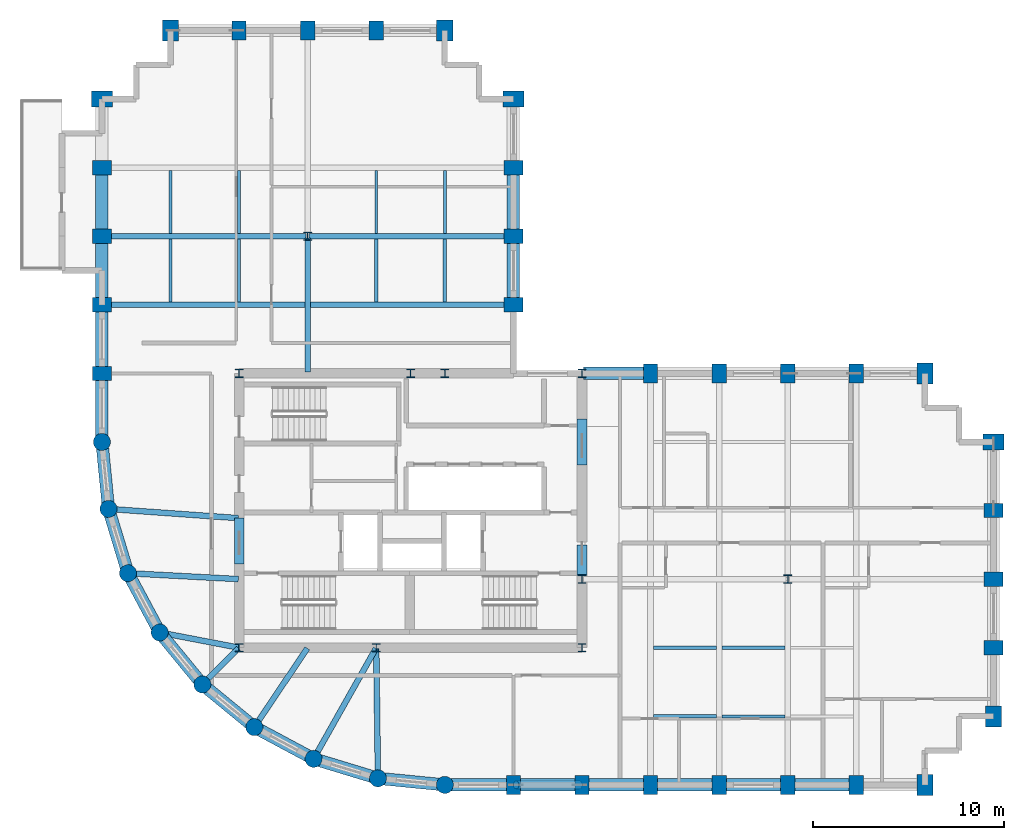
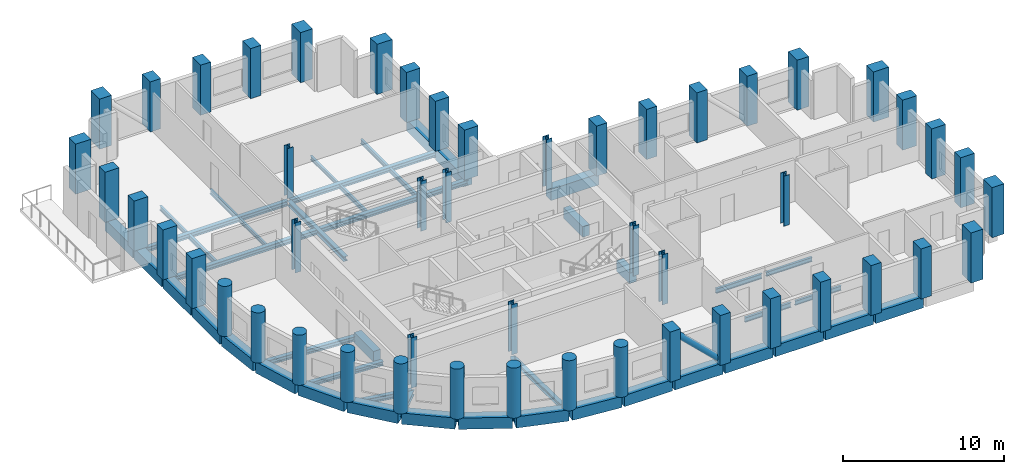
# One storey, part 1 of 9: 50 columns, 47 beams, 1 member.
"""IFC4 building model written with IfcOpenShell, lengths in metres."""

from ifc_helpers import new_model, si_unit, direction, frame, origin, origin_2d, place, context, subcontext, project, spatial, rectangle, circle, hollow_circle, i_section, extrude, material, material_profile, profile_set, type_object, element, save


model = new_model("IFC4")

# Units and contexts
model_context = context("Model", 3, precision=1e-05, world=origin(), true_north=direction((0.0, 1.0)))
body_context = subcontext(model_context, "Body", "Model", "MODEL_VIEW")
ifc_project = project(units=[si_unit("LENGTHUNIT", "METRE"), si_unit("AREAUNIT", "SQUARE_METRE"), si_unit("VOLUMEUNIT", "CUBIC_METRE"), si_unit("PLANEANGLEUNIT", "RADIAN"), si_unit("MASSUNIT", "GRAM", prefix="KILO")], contexts=[model_context])

# Site, building, storey
site_placement = place(None, origin())
site = spatial("IfcSite", under=ifc_project, at=site_placement, CompositionType="ELEMENT")
building_placement = place(site_placement, origin())
building = spatial("IfcBuilding", under=site, at=building_placement, Name="Solnavia Interchange Tower", CompositionType="ELEMENT")
storey_placement = place(building_placement, frame((0.0, 0.0, 154.199951171875)))
storey = spatial("IfcBuildingStorey", under=building, at=storey_placement, Name="L38", CompositionType="ELEMENT", Elevation=154.199951171875)

# Columns
ifc_material_1 = material(Name="Concrete C50/60", Category="concrete")
ifc_material_profile_1 = material_profile(ifc_material_1, rectangle(XDim=0.75, YDim=1.0, at=origin_2d()), Name="RC 1000x750")
ifc_profile_set_1 = profile_set([ifc_material_profile_1], Name="Concrete C50/60")
column_type_1 = type_object("IfcColumnType", Name="Col-RC-1000x750", PredefinedType="COLUMN", material=ifc_profile_set_1)
for number, where, z_axis, x_axis, name in (
    (1, (7.199951171875, 25.199951171875, 0.0), (0.0, 0.0, 1.0), (0.0, 1.0, 0.0), "COL-L38-02 Tower perim y column"),
    (2, (7.199951171875, 28.800048828125, 0.0), (0.0, 0.0, 1.0), (0.0, 1.0, 0.0), "COL-L38-03 Tower perim y column"),
    (3, (7.199951171875, 32.39990234375, 0.0), (0.0, 0.0, 1.0), (0.0, 1.0, 0.0), "COL-L38-04 Tower perim y column"),
    (4, (7.199951171875, 36.0, 0.0), (0.0, 0.0, 1.0), (0.0, 1.0, 0.0), "COL-L38-05 Tower perim y column"),
    (5, (14.39990234375, 43.199951171875, 0.0), (0.0, 0.0, 1.0), (1.0, 0.0, 0.0), "COL-L38-14 Tower perim x column"),
    (6, (18.0, 43.199951171875, 0.0), (0.0, 0.0, 1.0), (1.0, 0.0, 0.0), "COL-L38-17 Tower perim x column"),
    (7, (21.60009765625, 43.199951171875, 0.0), (0.0, 0.0, 1.0), (1.0, 0.0, 0.0), "COL-L38-20 Tower perim x column"),
    (8, (28.800048828125, 3.60009765625, 0.0), (0.0, 0.0, 1.0), (1.0, 0.0, 0.0), "COL-L38-26 Tower perim x column"),
    (9, (28.800048828125, 28.800048828125, 0.0), (0.0, 0.0, 1.0), (0.0, 1.0, 0.0), "COL-L38-27 Tower perim y column"),
    (10, (28.800048828125, 32.39990234375, 0.0), (0.0, 0.0, 1.0), (0.0, 1.0, 0.0), "COL-L38-28 Tower perim y column"),
    (11, (28.800048828125, 36.0, 0.0), (0.0, 0.0, 1.0), (0.0, 1.0, 0.0), "COL-L38-29 Tower perim y column"),
    (12, (32.39990234375, 3.60009765625, 0.0), (0.0, 0.0, 1.0), (1.0, 0.0, 0.0), "COL-L38-31 Tower perim x column"),
    (13, (36.0, 3.60009765625, 0.0), (0.0, 0.0, 1.0), (1.0, 0.0, 0.0), "COL-L38-35 Tower perim x column"),
    (14, (36.0, 25.199951171875, 0.0), (0.0, 0.0, 1.0), (1.0, 0.0, 0.0), "COL-L38-36 Tower perim x column"),
    (15, (39.60009765625, 3.60009765625, 0.0), (0.0, 0.0, 1.0), (1.0, 0.0, 0.0), "COL-L38-37 Tower perim x column"),
    (16, (39.60009765625, 25.199951171875, 0.0), (0.0, 0.0, 1.0), (1.0, 0.0, 0.0), "COL-L38-38 Tower perim x column"),
    (17, (43.199951171875, 3.60009765625, 0.0), (0.0, 0.0, 1.0), (1.0, 0.0, 0.0), "COL-L38-39 Tower perim x column"),
    (18, (43.199951171875, 25.199951171875, 0.0), (0.0, 0.0, 1.0), (1.0, 0.0, 0.0), "COL-L38-41 Tower perim x column"),
    (19, (46.800048828125, 3.60009765625, 0.0), (0.0, 0.0, 1.0), (1.0, 0.0, 0.0), "COL-L38-42 Tower perim x column"),
    (20, (46.800048828125, 25.199951171875, 0.0), (0.0, 0.0, 1.0), (1.0, 0.0, 0.0), "COL-L38-43 Tower perim x column"),
    (21, (54.0, 10.800048828125, 0.0), (0.0, 0.0, 1.0), (0.0, 1.0, 0.0), "COL-L38-47 Tower perim y column"),
    (22, (54.0, 14.39990234375, 0.0), (0.0, 0.0, 1.0), (0.0, 1.0, 0.0), "COL-L38-48 Tower perim y column"),
    (23, (54.0, 18.0, 0.0), (0.0, 0.0, 1.0), (0.0, 1.0, 0.0), "COL-L38-49 Tower perim y column"),
):
    element("IfcColumn", number, at=place(storey_placement, frame(where, z_axis=z_axis, x_axis=x_axis)), inside=storey, type_object=column_type_1, Name=name, PredefinedType="COLUMN", context=body_context, shape_type="SweptSolid", body=[
        extrude(rectangle(XDim=0.75, YDim=1.0, at=origin_2d()), origin(), (0.0, 0.0, 1.0), 3.800048828125),
    ])
ifc_material_profile_2 = material_profile(ifc_material_1, rectangle(XDim=0.85009765625, YDim=1.10009765625, at=origin_2d()), Name="RC 1100x850")
ifc_profile_set_2 = profile_set([ifc_material_profile_2], Name="Concrete C50/60")
column_type_2 = type_object("IfcColumnType", Name="Col-RC-1100x850", PredefinedType="COLUMN", material=ifc_profile_set_2)
for number, where, z_axis, x_axis, name in (
    (24, (7.199951171875, 39.60009765625, 0.0), (0.0, 0.0, 1.0), (0.0, 1.0, 0.0), "COL-L38-06 Tower corner column"),
    (25, (10.800048828125, 43.199951171875, 0.0), (0.0, 0.0, 1.0), (1.0, 0.0, 0.0), "COL-L38-10 Tower corner column"),
    (26, (25.199951171875, 43.199951171875, 0.0), (0.0, 0.0, 1.0), (1.0, 0.0, 0.0), "COL-L38-25 Tower corner column"),
    (27, (28.800048828125, 39.60009765625, 0.0), (0.0, 0.0, 1.0), (0.0, 1.0, 0.0), "COL-L38-30 Tower corner column"),
    (28, (50.39990234375, 3.60009765625, 0.0), (0.0, 0.0, 1.0), (1.0, 0.0, 0.0), "COL-L38-44 Tower corner column"),
    (29, (50.39990234375, 25.199951171875, 0.0), (0.0, 0.0, 1.0), (1.0, 0.0, 0.0), "COL-L38-45 Tower corner column"),
    (30, (54.0, 7.199951171875, 0.0), (0.0, 0.0, 1.0), (1.0, 0.0, 0.0), "COL-L38-46 Tower corner column"),
    (31, (54.0, 21.60009765625, 0.0), (0.0, 0.0, 1.0), (0.0, 1.0, 0.0), "COL-L38-50 Tower corner column"),
):
    element("IfcColumn", number, at=place(storey_placement, frame(where, z_axis=z_axis, x_axis=x_axis)), inside=storey, type_object=column_type_2, Name=name, PredefinedType="COLUMN", context=body_context, shape_type="SweptSolid", body=[
        extrude(rectangle(XDim=0.85009765625, YDim=1.10009765625, at=origin_2d()), origin(), (0.0, 0.0, 1.0), 3.800048828125),
    ])
ifc_material_profile_3 = material_profile(ifc_material_1, circle(Radius=0.449951171875, at=origin_2d()), Name="RC D900")
ifc_profile_set_3 = profile_set([ifc_material_profile_3], Name="Concrete C50/60")
column_type_3 = type_object("IfcColumnType", Name="Col-RC-D900", PredefinedType="COLUMN", material=ifc_profile_set_3)
for number, where, z_axis, x_axis, name in (
    (32, (7.199951171875, 21.60009765625, 0.0), (0.0, 0.0, 1.0), (1.0, 0.0, 0.0), "COL-L38-01 Tower drum column"),
    (33, (7.5458984375, 18.087890625, 0.0), (0.0, 0.0, 1.0), (1.0, 0.0, 0.0), "COL-L38-07 Tower drum column"),
    (34, (8.570068359375, 14.7119140625, 0.0), (0.0, 0.0, 1.0), (1.0, 0.0, 0.0), "COL-L38-08 Tower drum column"),
    (35, (10.23388671875, 11.60009765625, 0.0), (0.0, 0.0, 1.0), (1.0, 0.0, 0.0), "COL-L38-09 Tower drum column"),
    (36, (12.471923828125, 8.8720703125, 0.0), (0.0, 0.0, 1.0), (1.0, 0.0, 0.0), "COL-L38-11 Tower drum column"),
    (37, (15.199951171875, 6.634033203125, 0.0), (0.0, 0.0, 1.0), (1.0, 0.0, 0.0), "COL-L38-15 Tower drum column"),
    (38, (18.31201171875, 4.969970703125, 0.0), (0.0, 0.0, 1.0), (1.0, 0.0, 0.0), "COL-L38-18 Tower drum column"),
    (39, (21.68798828125, 3.946044921875, 0.0), (0.0, 0.0, 1.0), (1.0, 0.0, 0.0), "COL-L38-21 Tower drum column"),
    (40, (25.199951171875, 3.60009765625, 0.0), (0.0, 0.0, 1.0), (1.0, 0.0, 0.0), "COL-L38-23 Tower drum column"),
):
    element("IfcColumn", number, at=place(storey_placement, frame(where, z_axis=z_axis, x_axis=x_axis)), inside=storey, type_object=column_type_3, Name=name, PredefinedType="COLUMN", context=body_context, shape_type="SweptSolid", body=[
        extrude(circle(Radius=0.449951171875, at=origin_2d()), origin(), (0.0, 0.0, 1.0), 3.800048828125),
    ])
ifc_material_2 = material(Name="Steel S355", Category="steel")
ifc_material_profile_4 = material_profile(ifc_material_2, i_section(OverallWidth=0.416015625, OverallDepth=0.44189453125, WebThickness=0.02490234375, FlangeThickness=0.041015625, FilletRadius=0.014892578125, at=origin_2d()), Name="HD 400x382")
ifc_profile_set_4 = profile_set([ifc_material_profile_4], Name="Steel S355")
column_type_4 = type_object("IfcColumnType", Name="Col-Steel-HD400x382", PredefinedType="COLUMN", material=ifc_profile_set_4)
for number, where, z_axis, x_axis, name in (
    (41, (14.39990234375, 10.800048828125, 0.0), (0.0, 0.0, 1.0), (1.0, 0.0, 0.0), "COL-L38-12 Tower interior column"),
    (42, (14.39990234375, 25.199951171875, 0.0), (0.0, 0.0, 1.0), (1.0, 0.0, 0.0), "COL-L38-13 Tower interior column"),
    (43, (18.0, 32.39990234375, 0.0), (0.0, 0.0, 1.0), (1.0, 0.0, 0.0), "COL-L38-16 Tower interior column"),
    (44, (21.60009765625, 10.800048828125, 0.0), (0.0, 0.0, 1.0), (1.0, 0.0, 0.0), "COL-L38-19 Tower interior column"),
    (45, (23.39990234375, 25.199951171875, 0.0), (0.0, 0.0, 1.0), (1.0, 0.0, 0.0), "COL-L38-22 Tower interior column"),
    (46, (25.199951171875, 25.199951171875, 0.0), (0.0, 0.0, 1.0), (1.0, 0.0, 0.0), "COL-L38-24 Tower interior column"),
    (47, (32.39990234375, 10.800048828125, 0.0), (0.0, 0.0, 1.0), (1.0, 0.0, 0.0), "COL-L38-32 Tower interior column"),
    (48, (32.39990234375, 14.39990234375, 0.0), (0.0, 0.0, 1.0), (1.0, 0.0, 0.0), "COL-L38-33 Tower interior column"),
    (49, (32.39990234375, 25.199951171875, 0.0), (0.0, 0.0, 1.0), (1.0, 0.0, 0.0), "COL-L38-34 Tower interior column"),
    (50, (43.199951171875, 14.39990234375, 0.0), (0.0, 0.0, 1.0), (1.0, 0.0, 0.0), "COL-L38-40 Tower interior column"),
):
    element("IfcColumn", number, at=place(storey_placement, frame(where, z_axis=z_axis, x_axis=x_axis)), inside=storey, type_object=column_type_4, Name=name, PredefinedType="COLUMN", context=body_context, shape_type="SweptSolid", body=[
        extrude(i_section(OverallWidth=0.416015625, OverallDepth=0.44189453125, WebThickness=0.02490234375, FlangeThickness=0.041015625, FilletRadius=0.014892578125, at=origin_2d()), origin(), (0.0, 0.0, 1.0), 3.800048828125),
    ])

# Beams
ifc_material_profile_5 = material_profile(ifc_material_1, rectangle(XDim=0.5, YDim=0.800048828125, at=origin_2d()), Name="RC 500x800")
ifc_profile_set_5 = profile_set([ifc_material_profile_5], Name="Concrete C50/60")
beam_type_1 = type_object("IfcBeamType", Name="Beam-Coupling-RC500x800", PredefinedType="LINTEL", material=ifc_profile_set_5)
beam_1_placement = place(storey_placement, frame((14.39990234375, 15.199951171875, -0.39990234375), z_axis=(0.0, 1.0, 0.0), x_axis=(-1.0, 0.0, 0.0)))
element("IfcBeam", 51, at=beam_1_placement, inside=storey, type_object=beam_type_1, Name="CPB-L38-W1 Core coupling lintel beam", PredefinedType="LINTEL", context=body_context, shape_type="SweptSolid", body=[
    extrude(rectangle(XDim=0.5, YDim=0.800048828125, at=origin_2d()), origin(), (0.0, 0.0, 1.0), 2.400146484375),
])
beam_2_placement = place(storey_placement, frame((32.39990234375, 14.60009765625, -0.39990234375), z_axis=(0.0, 1.0, 0.0), x_axis=(-1.0, 0.0, 0.0)))
element("IfcBeam", 52, at=beam_2_placement, inside=storey, type_object=beam_type_1, Name="CPB-L38-E1 Core coupling lintel beam", PredefinedType="LINTEL", context=body_context, shape_type="SweptSolid", body=[
    extrude(rectangle(XDim=0.5, YDim=0.800048828125, at=origin_2d()), origin(), (0.0, 0.0, 1.0), 1.599853515625),
])
beam_3_placement = place(storey_placement, frame((32.39990234375, 20.39990234375, -0.39990234375), z_axis=(0.0, 1.0, 0.0), x_axis=(-1.0, 0.0, 0.0)))
element("IfcBeam", 53, at=beam_3_placement, inside=storey, type_object=beam_type_1, Name="CPB-L38-E2 Core coupling lintel beam", PredefinedType="LINTEL", context=body_context, shape_type="SweptSolid", body=[
    extrude(rectangle(XDim=0.5, YDim=0.800048828125, at=origin_2d()), origin(), (0.0, 0.0, 1.0), 2.400146484375),
])
ifc_material_3 = material(Name="Steel S460", Category="steel")
ifc_material_profile_6 = material_profile(ifc_material_3, i_section(OverallWidth=0.300048828125, OverallDepth=0.360107421875, WebThickness=0.012451171875, FlangeThickness=0.0224609375, FilletRadius=0.027099609375, at=origin_2d()), Name="HEB 360")
ifc_profile_set_6 = profile_set([ifc_material_profile_6], Name="Steel S460")
beam_type_2 = type_object("IfcBeamType", Name="Beam-Girder-HEB360", PredefinedType="BEAM", material=ifc_profile_set_6)
beam_4_placement = place(storey_placement, frame((18.0, 25.280029296875, -0.429931640625), z_axis=(0.0, 1.0, 0.0), x_axis=(-1.0, 0.0, 0.0)))
element("IfcBeam", 54, at=beam_4_placement, inside=storey, type_object=beam_type_2, Name="GRD-L38-NS08 North wing spine girder", PredefinedType="BEAM", context=body_context, shape_type="SweptSolid", body=[
    extrude(i_section(OverallWidth=0.300048828125, OverallDepth=0.360107421875, WebThickness=0.012451171875, FlangeThickness=0.0224609375, FilletRadius=0.027099609375, at=origin_2d()), origin(), (0.0, 0.0, 1.0), 7.0400390625),
])
beam_5_placement = place(storey_placement, frame((7.280029296875, 28.800048828125, -0.429931640625), z_axis=(1.0, 0.0, 0.0), x_axis=(0.0, 1.0, 0.0)))
element("IfcBeam", 55, at=beam_5_placement, inside=storey, type_object=beam_type_2, Name="GRD-L38-NW10 North wing primary floor girder", PredefinedType="BEAM", context=body_context, shape_type="SweptSolid", body=[
    extrude(i_section(OverallWidth=0.300048828125, OverallDepth=0.360107421875, WebThickness=0.012451171875, FlangeThickness=0.0224609375, FilletRadius=0.027099609375, at=origin_2d()), origin(), (0.0, 0.0, 1.0), 21.43994140625),
])
beam_6_placement = place(storey_placement, frame((10.3125, 11.5849609375, -0.429931640625), z_axis=(0.982057527796, -0.188581579428, 0.0), x_axis=(0.188581579428, 0.982057527796, 0.0)))
element("IfcBeam", 56, at=beam_6_placement, inside=storey, type_object=beam_type_2, Name="GRD-L38-DR16 Drum radial floor girder", PredefinedType="BEAM", context=body_context, shape_type="SweptSolid", body=[
    extrude(i_section(OverallWidth=0.300048828125, OverallDepth=0.360107421875, WebThickness=0.012451171875, FlangeThickness=0.0224609375, FilletRadius=0.027099609375, at=origin_2d()), origin(), (0.0, 0.0, 1.0), 4.1220703125),
])
beam_7_placement = place(storey_placement, frame((18.351318359375, 5.039794921875, -0.429931640625), z_axis=(0.491243158486, 0.871022479182, 0.0), x_axis=(-0.871022479182, 0.491243158486, 0.0)))
element("IfcBeam", 57, at=beam_7_placement, inside=storey, type_object=beam_type_2, Name="GRD-L38-DR19 Drum radial floor girder", PredefinedType="BEAM", context=body_context, shape_type="SweptSolid", body=[
    extrude(i_section(OverallWidth=0.300048828125, OverallDepth=0.360107421875, WebThickness=0.012451171875, FlangeThickness=0.0224609375, FilletRadius=0.027099609375, at=origin_2d()), origin(), (0.0, 0.0, 1.0), 6.5732421875),
])
ifc_material_profile_7 = material_profile(ifc_material_2, i_section(OverallWidth=0.14990234375, OverallDepth=0.300048828125, WebThickness=0.007080078125, FlangeThickness=0.0107421875, FilletRadius=0.014892578125, at=origin_2d()), Name="IPE 300")
ifc_profile_set_7 = profile_set([ifc_material_profile_7], Name="Steel S355")
beam_type_3 = type_object("IfcBeamType", Name="Beam-Joist-IPE300", PredefinedType="JOIST", material=ifc_profile_set_7)
for number, where, z_axis, x_axis, name in (
    (58, (14.39990234375, 28.949951171875, -0.39990234375), (0.0, 1.0, 0.0), (-1.0, 0.0, 0.0), "JST-L38-N15 North wing secondary joist"),
    (59, (21.60009765625, 32.550048828125, -0.39990234375), (0.0, 1.0, 0.0), (-1.0, 0.0, 0.0), "JST-L38-N18 North wing secondary joist"),
):
    element("IfcBeam", number, at=place(storey_placement, frame(where, z_axis=z_axis, x_axis=x_axis)), inside=storey, type_object=beam_type_3, Name=name, PredefinedType="JOIST", context=body_context, shape_type="SweptSolid", body=[
        extrude(i_section(OverallWidth=0.14990234375, OverallDepth=0.300048828125, WebThickness=0.007080078125, FlangeThickness=0.0107421875, FilletRadius=0.014892578125, at=origin_2d()), origin(), (0.0, 0.0, 1.0), 3.300048828125),
    ])
ifc_material_profile_8 = material_profile(ifc_material_2, i_section(OverallWidth=0.159912109375, OverallDepth=0.330078125, WebThickness=0.007568359375, FlangeThickness=0.011474609375, FilletRadius=0.01806640625, at=origin_2d()), Name="IPE 330")
ifc_profile_set_8 = profile_set([ifc_material_profile_8], Name="Steel S355")
beam_type_4 = type_object("IfcBeamType", Name="Beam-Joist-IPE330", PredefinedType="JOIST", material=ifc_profile_set_8)
for number, where, z_axis, x_axis, name in (
    (60, (39.75, 7.199951171875, -0.4150390625), (1.0, 0.0, 0.0), (0.0, 1.0, 0.0), "JST-L38-E02 East wing secondary joist"),
    (61, (39.75, 10.800048828125, -0.4150390625), (1.0, 0.0, 0.0), (0.0, 1.0, 0.0), "JST-L38-E05 East wing secondary joist"),
    (62, (10.800048828125, 32.550048828125, -0.4150390625), (0.0, 1.0, 0.0), (-1.0, 0.0, 0.0), "JST-L38-N14 North wing secondary joist"),
    (63, (21.60009765625, 28.949951171875, -0.4150390625), (0.0, 1.0, 0.0), (-1.0, 0.0, 0.0), "JST-L38-N17 North wing secondary joist"),
    (64, (25.199951171875, 32.550048828125, -0.4150390625), (0.0, 1.0, 0.0), (-1.0, 0.0, 0.0), "JST-L38-N20 North wing secondary joist"),
):
    element("IfcBeam", number, at=place(storey_placement, frame(where, z_axis=z_axis, x_axis=x_axis)), inside=storey, type_object=beam_type_4, Name=name, PredefinedType="JOIST", context=body_context, shape_type="SweptSolid", body=[
        extrude(i_section(OverallWidth=0.159912109375, OverallDepth=0.330078125, WebThickness=0.007568359375, FlangeThickness=0.011474609375, FilletRadius=0.01806640625, at=origin_2d()), origin(), (0.0, 0.0, 1.0), 3.300048828125),
    ])
ifc_material_profile_9 = material_profile(ifc_material_2, i_section(OverallWidth=0.169921875, OverallDepth=0.360107421875, WebThickness=0.008056640625, FlangeThickness=0.0126953125, FilletRadius=0.01806640625, at=origin_2d()), Name="IPE 360")
ifc_profile_set_9 = profile_set([ifc_material_profile_9], Name="Steel S355")
beam_type_5 = type_object("IfcBeamType", Name="Beam-Joist-IPE360", PredefinedType="JOIST", material=ifc_profile_set_9)
for number, where, z_axis, x_axis, name in (
    (65, (36.14990234375, 7.199951171875, -0.429931640625), (1.0, 0.0, 0.0), (0.0, 1.0, 0.0), "JST-L38-E01 East wing secondary joist"),
    (66, (36.14990234375, 10.800048828125, -0.429931640625), (1.0, 0.0, 0.0), (0.0, 1.0, 0.0), "JST-L38-E04 East wing secondary joist"),
    (67, (10.800048828125, 28.949951171875, -0.429931640625), (0.0, 1.0, 0.0), (-1.0, 0.0, 0.0), "JST-L38-N13 North wing secondary joist"),
    (68, (14.39990234375, 32.550048828125, -0.429931640625), (0.0, 1.0, 0.0), (-1.0, 0.0, 0.0), "JST-L38-N16 North wing secondary joist"),
    (69, (25.199951171875, 28.949951171875, -0.429931640625), (0.0, 1.0, 0.0), (-1.0, 0.0, 0.0), "JST-L38-N19 North wing secondary joist"),
):
    element("IfcBeam", number, at=place(storey_placement, frame(where, z_axis=z_axis, x_axis=x_axis)), inside=storey, type_object=beam_type_5, Name=name, PredefinedType="JOIST", context=body_context, shape_type="SweptSolid", body=[
        extrude(i_section(OverallWidth=0.169921875, OverallDepth=0.360107421875, WebThickness=0.008056640625, FlangeThickness=0.0126953125, FilletRadius=0.01806640625, at=origin_2d()), origin(), (0.0, 0.0, 1.0), 3.300048828125),
    ])
ifc_material_profile_10 = material_profile(ifc_material_2, i_section(OverallWidth=0.300048828125, OverallDepth=0.31005859375, WebThickness=0.009033203125, FlangeThickness=0.015380859375, FilletRadius=0.027099609375, at=origin_2d()), Name="HEA 320")
ifc_profile_set_10 = profile_set([ifc_material_profile_10], Name="Steel S355")
beam_type_6 = type_object("IfcBeamType", Name="Beam-Primary-HEA320", PredefinedType="BEAM", material=ifc_profile_set_10)
beam_8_placement = place(storey_placement, frame((8.64990234375, 14.707763671875, -0.405029296875), z_axis=(0.998570371303, -0.053452909696, 0.0), x_axis=(0.053452909696, 0.998570371303, 0.0)))
element("IfcBeam", 70, at=beam_8_placement, inside=storey, type_object=beam_type_6, Name="GRD-L38-DR15 Drum radial floor girder", PredefinedType="BEAM", context=body_context, shape_type="SweptSolid", body=[
    extrude(i_section(OverallWidth=0.300048828125, OverallDepth=0.31005859375, WebThickness=0.009033203125, FlangeThickness=0.015380859375, FilletRadius=0.027099609375, at=origin_2d()), origin(), (0.0, 0.0, 1.0), 5.71826171875),
])
beam_9_placement = place(storey_placement, frame((15.24462890625, 6.700439453125, -0.405029296875), z_axis=(0.557835474219, 0.829951555033, 0.0), x_axis=(-0.829951555033, 0.557835474219, 0.0)))
element("IfcBeam", 71, at=beam_9_placement, inside=storey, type_object=beam_type_6, Name="GRD-L38-DR18 Drum radial floor girder", PredefinedType="BEAM", context=body_context, shape_type="SweptSolid", body=[
    extrude(i_section(OverallWidth=0.300048828125, OverallDepth=0.31005859375, WebThickness=0.009033203125, FlangeThickness=0.015380859375, FilletRadius=0.027099609375, at=origin_2d()), origin(), (0.0, 0.0, 1.0), 4.899658203125),
])
ifc_material_profile_11 = material_profile(ifc_material_2, i_section(OverallWidth=0.300048828125, OverallDepth=0.35009765625, WebThickness=0.010009765625, FlangeThickness=0.017578125, FilletRadius=0.027099609375, at=origin_2d()), Name="HEA 360")
ifc_profile_set_11 = profile_set([ifc_material_profile_11], Name="Steel S355")
beam_type_7 = type_object("IfcBeamType", Name="Beam-Primary-HEA360", PredefinedType="BEAM", material=ifc_profile_set_11)
for number, where, z_axis, x_axis, name in (
    (72, (7.280029296875, 32.39990234375, -0.425048828125), (1.0, 0.0, 0.0), (0.0, 1.0, 0.0), "GRD-L38-NW11 North wing primary floor girder"),
    (73, (18.080078125, 32.39990234375, -0.425048828125), (1.0, 0.0, 0.0), (0.0, 1.0, 0.0), "GRD-L38-NW12 North wing primary floor girder"),
):
    element("IfcBeam", number, at=place(storey_placement, frame(where, z_axis=z_axis, x_axis=x_axis)), inside=storey, type_object=beam_type_7, Name=name, PredefinedType="BEAM", context=body_context, shape_type="SweptSolid", body=[
        extrude(i_section(OverallWidth=0.300048828125, OverallDepth=0.35009765625, WebThickness=0.010009765625, FlangeThickness=0.017578125, FilletRadius=0.027099609375, at=origin_2d()), origin(), (0.0, 0.0, 1.0), 10.639892578125),
    ])
beam_10_placement = place(storey_placement, frame((7.625732421875, 18.082275390625, -0.425048828125), z_axis=(0.99747482749, -0.071020902015, 0.0), x_axis=(0.071020902015, 0.99747482749, 0.0)))
element("IfcBeam", 74, at=beam_10_placement, inside=storey, type_object=beam_type_7, Name="GRD-L38-DR14 Drum radial floor girder", PredefinedType="BEAM", context=body_context, shape_type="SweptSolid", body=[
    extrude(i_section(OverallWidth=0.300048828125, OverallDepth=0.35009765625, WebThickness=0.010009765625, FlangeThickness=0.017578125, FilletRadius=0.027099609375, at=origin_2d()), origin(), (0.0, 0.0, 1.0), 6.75146484375),
])
beam_11_placement = place(storey_placement, frame((12.528564453125, 8.9287109375, -0.425048828125), z_axis=(0.707106781187, 0.707106781187, 0.0), x_axis=(-0.707106781187, 0.707106781187, 0.0)))
element("IfcBeam", 75, at=beam_11_placement, inside=storey, type_object=beam_type_7, Name="GRD-L38-DR17 Drum radial floor girder", PredefinedType="BEAM", context=body_context, shape_type="SweptSolid", body=[
    extrude(i_section(OverallWidth=0.300048828125, OverallDepth=0.35009765625, WebThickness=0.010009765625, FlangeThickness=0.017578125, FilletRadius=0.027099609375, at=origin_2d()), origin(), (0.0, 0.0, 1.0), 2.6064453125),
])
beam_12_placement = place(storey_placement, frame((21.68701171875, 4.02587890625, -0.425048828125), z_axis=(-0.01283293513, 0.999917654498, 0.0), x_axis=(-0.999917654498, -0.01283293513, 0.0)))
element("IfcBeam", 76, at=beam_12_placement, inside=storey, type_object=beam_type_7, Name="GRD-L38-DR20 Drum radial floor girder", PredefinedType="BEAM", context=body_context, shape_type="SweptSolid", body=[
    extrude(i_section(OverallWidth=0.300048828125, OverallDepth=0.35009765625, WebThickness=0.010009765625, FlangeThickness=0.017578125, FilletRadius=0.027099609375, at=origin_2d()), origin(), (0.0, 0.0, 1.0), 6.734619140625),
])
ifc_material_profile_12 = material_profile(ifc_material_1, rectangle(XDim=0.64990234375, YDim=0.85009765625, at=origin_2d()), Name="RC 650x850")
ifc_profile_set_12 = profile_set([ifc_material_profile_12], Name="Concrete C50/60")
beam_type_8 = type_object("IfcBeamType", Name="Beam-Spandrel-RC650x850", PredefinedType="SPANDREL", material=ifc_profile_set_12)
beam_13_placement = place(storey_placement, frame((7.207763671875, 21.5205078125, -0.425048828125), z_axis=(0.098040038117, -0.995182471171, 0.0), x_axis=(0.995182471171, 0.098040038117, 0.0)))
element("IfcBeam", 77, at=beam_13_placement, inside=storey, type_object=beam_type_8, Name="SPB-L38-01 Framed-tube perimeter spandrel beam", PredefinedType="SPANDREL", context=body_context, shape_type="SweptSolid", body=[
    extrude(rectangle(XDim=0.64990234375, YDim=0.85009765625, at=origin_2d()), origin(), (0.0, 0.0, 1.0), 3.369140625),
])
beam_14_placement = place(storey_placement, frame((7.569091796875, 18.011474609375, -0.425048828125), z_axis=(0.290319223646, -0.956929855518, 0.0), x_axis=(0.956929855518, 0.290319223646, 0.0)))
element("IfcBeam", 78, at=beam_14_placement, inside=storey, type_object=beam_type_8, Name="SPB-L38-02 Framed-tube perimeter spandrel beam", PredefinedType="SPANDREL", context=body_context, shape_type="SweptSolid", body=[
    extrude(rectangle(XDim=0.64990234375, YDim=0.85009765625, at=origin_2d()), origin(), (0.0, 0.0, 1.0), 3.367919921875),
])
beam_15_placement = place(storey_placement, frame((8.607666015625, 14.6416015625, -0.425048828125), z_axis=(0.471509422952, -0.881861023102, 0.0), x_axis=(0.881861023102, 0.471509422952, 0.0)))
element("IfcBeam", 79, at=beam_15_placement, inside=storey, type_object=beam_type_8, Name="SPB-L38-03 Framed-tube perimeter spandrel beam", PredefinedType="SPANDREL", context=body_context, shape_type="SweptSolid", body=[
    extrude(rectangle(XDim=0.64990234375, YDim=0.85009765625, at=origin_2d()), origin(), (0.0, 0.0, 1.0), 3.369140625),
])
for number, where, z_axis, x_axis, name in (
    (80, (10.28466796875, 11.5380859375, -0.425048828125), (0.634298841675, -0.773087950656, 0.0), (0.773087950656, 0.634298841675, 0.0), "SPB-L38-04 Framed-tube perimeter spandrel beam"),
    (81, (12.53369140625, 8.8212890625, -0.425048828125), (0.773152644452, -0.634219984214, 0.0), (0.634219984214, 0.773152644452, 0.0), "SPB-L38-05 Framed-tube perimeter spandrel beam"),
):
    element("IfcBeam", number, at=place(storey_placement, frame(where, z_axis=z_axis, x_axis=x_axis)), inside=storey, type_object=beam_type_8, Name=name, PredefinedType="SPANDREL", context=body_context, shape_type="SweptSolid", body=[
        extrude(rectangle(XDim=0.64990234375, YDim=0.85009765625, at=origin_2d()), origin(), (0.0, 0.0, 1.0), 3.36865234375),
    ])
beam_16_placement = place(storey_placement, frame((15.2705078125, 6.59619140625, -0.425048828125), z_axis=(0.881875044348, -0.47148319817, 0.0), x_axis=(0.47148319817, 0.881875044348, 0.0)))
element("IfcBeam", 82, at=beam_16_placement, inside=storey, type_object=beam_type_8, Name="SPB-L38-06 Framed-tube perimeter spandrel beam", PredefinedType="SPANDREL", context=body_context, shape_type="SweptSolid", body=[
    extrude(rectangle(XDim=0.64990234375, YDim=0.85009765625, at=origin_2d()), origin(), (0.0, 0.0, 1.0), 3.368896484375),
])
beam_17_placement = place(storey_placement, frame((18.388671875, 4.94677734375, -0.425048828125), z_axis=(0.956943884494, -0.290272978297, 0.0), x_axis=(0.290272978297, 0.956943884494, 0.0)))
element("IfcBeam", 83, at=beam_17_placement, inside=storey, type_object=beam_type_8, Name="SPB-L38-07 Framed-tube perimeter spandrel beam", PredefinedType="SPANDREL", context=body_context, shape_type="SweptSolid", body=[
    extrude(rectangle(XDim=0.64990234375, YDim=0.85009765625, at=origin_2d()), origin(), (0.0, 0.0, 1.0), 3.36767578125),
])
beam_18_placement = place(storey_placement, frame((21.767578125, 3.938232421875, -0.425048828125), z_axis=(0.995181774609, -0.098047108501, 0.0), x_axis=(0.098047108501, 0.995181774609, 0.0)))
element("IfcBeam", 84, at=beam_18_placement, inside=storey, type_object=beam_type_8, Name="SPB-L38-08 Framed-tube perimeter spandrel beam", PredefinedType="SPANDREL", context=body_context, shape_type="SweptSolid", body=[
    extrude(rectangle(XDim=0.64990234375, YDim=0.85009765625, at=origin_2d()), origin(), (0.0, 0.0, 1.0), 3.368896484375),
])
beam_19_placement = place(storey_placement, frame((25.280029296875, 3.60009765625, -0.425048828125), z_axis=(1.0, 0.0, 0.0), x_axis=(0.0, 1.0, 0.0)))
element("IfcBeam", 85, at=beam_19_placement, inside=storey, type_object=beam_type_8, Name="SPB-L38-09 Framed-tube perimeter spandrel beam", PredefinedType="SPANDREL", context=body_context, shape_type="SweptSolid", body=[
    extrude(rectangle(XDim=0.64990234375, YDim=0.85009765625, at=origin_2d()), origin(), (0.0, 0.0, 1.0), 3.43994140625),
])
beam_20_placement = place(storey_placement, frame((28.8798828125, 3.60009765625, -0.425048828125), z_axis=(1.0, 0.0, 0.0), x_axis=(0.0, 1.0, 0.0)))
element("IfcBeam", 86, at=beam_20_placement, inside=storey, type_object=beam_type_8, Name="SPB-L38-10 Framed-tube perimeter spandrel beam", PredefinedType="SPANDREL", context=body_context, shape_type="SweptSolid", body=[
    extrude(rectangle(XDim=0.64990234375, YDim=0.85009765625, at=origin_2d()), origin(), (0.0, 0.0, 1.0), 3.440185546875),
])
for number, where, z_axis, x_axis, name in (
    (87, (32.47998046875, 3.60009765625, -0.425048828125), (1.0, 0.0, 0.0), (0.0, 1.0, 0.0), "SPB-L38-11 Framed-tube perimeter spandrel beam"),
    (88, (36.080078125, 3.60009765625, -0.425048828125), (1.0, 0.0, 0.0), (0.0, 1.0, 0.0), "SPB-L38-12 Framed-tube perimeter spandrel beam"),
):
    element("IfcBeam", number, at=place(storey_placement, frame(where, z_axis=z_axis, x_axis=x_axis)), inside=storey, type_object=beam_type_8, Name=name, PredefinedType="SPANDREL", context=body_context, shape_type="SweptSolid", body=[
        extrude(rectangle(XDim=0.64990234375, YDim=0.85009765625, at=origin_2d()), origin(), (0.0, 0.0, 1.0), 3.43994140625),
    ])
beam_21_placement = place(storey_placement, frame((39.679931640625, 3.60009765625, -0.425048828125), z_axis=(1.0, 0.0, 0.0), x_axis=(0.0, 1.0, 0.0)))
element("IfcBeam", 89, at=beam_21_placement, inside=storey, type_object=beam_type_8, Name="SPB-L38-13 Framed-tube perimeter spandrel beam", PredefinedType="SPANDREL", context=body_context, shape_type="SweptSolid", body=[
    extrude(rectangle(XDim=0.64990234375, YDim=0.85009765625, at=origin_2d()), origin(), (0.0, 0.0, 1.0), 3.440185546875),
])
for number, where, z_axis, x_axis, name in (
    (90, (43.280029296875, 3.60009765625, -0.425048828125), (1.0, 0.0, 0.0), (0.0, 1.0, 0.0), "SPB-L38-14 Framed-tube perimeter spandrel beam"),
    (91, (35.919921875, 25.199951171875, -0.425048828125), (-1.0, 0.0, 0.0), (0.0, -1.0, 0.0), "SPB-L38-24 Framed-tube perimeter spandrel beam"),
):
    element("IfcBeam", number, at=place(storey_placement, frame(where, z_axis=z_axis, x_axis=x_axis)), inside=storey, type_object=beam_type_8, Name=name, PredefinedType="SPANDREL", context=body_context, shape_type="SweptSolid", body=[
        extrude(rectangle(XDim=0.64990234375, YDim=0.85009765625, at=origin_2d()), origin(), (0.0, 0.0, 1.0), 3.43994140625),
    ])
beam_22_placement = place(storey_placement, frame((28.800048828125, 28.8798828125, -0.425048828125), z_axis=(0.0, 1.0, 0.0), x_axis=(-1.0, 0.0, 0.0)))
element("IfcBeam", 92, at=beam_22_placement, inside=storey, type_object=beam_type_8, Name="SPB-L38-25 Framed-tube perimeter spandrel beam", PredefinedType="SPANDREL", context=body_context, shape_type="SweptSolid", body=[
    extrude(rectangle(XDim=0.64990234375, YDim=0.85009765625, at=origin_2d()), origin(), (0.0, 0.0, 1.0), 3.440185546875),
])
for number, where, z_axis, x_axis, name in (
    (93, (28.800048828125, 32.47998046875, -0.425048828125), (0.0, 1.0, 0.0), (-1.0, 0.0, 0.0), "SPB-L38-26 Framed-tube perimeter spandrel beam"),
    (94, (7.199951171875, 35.919921875, -0.425048828125), (0.0, -1.0, 0.0), (1.0, 0.0, 0.0), "SPB-L38-33 Framed-tube perimeter spandrel beam"),
):
    element("IfcBeam", number, at=place(storey_placement, frame(where, z_axis=z_axis, x_axis=x_axis)), inside=storey, type_object=beam_type_8, Name=name, PredefinedType="SPANDREL", context=body_context, shape_type="SweptSolid", body=[
        extrude(rectangle(XDim=0.64990234375, YDim=0.85009765625, at=origin_2d()), origin(), (0.0, 0.0, 1.0), 3.43994140625),
    ])
beam_23_placement = place(storey_placement, frame((7.199951171875, 32.320068359375, -0.425048828125), z_axis=(0.0, -1.0, 0.0), x_axis=(1.0, 0.0, 0.0)))
element("IfcBeam", 95, at=beam_23_placement, inside=storey, type_object=beam_type_8, Name="SPB-L38-34 Framed-tube perimeter spandrel beam", PredefinedType="SPANDREL", context=body_context, shape_type="SweptSolid", body=[
    extrude(rectangle(XDim=0.64990234375, YDim=0.85009765625, at=origin_2d()), origin(), (0.0, 0.0, 1.0), 3.440185546875),
])
beam_24_placement = place(storey_placement, frame((7.199951171875, 28.719970703125, -0.425048828125), z_axis=(0.0, -1.0, 0.0), x_axis=(1.0, 0.0, 0.0)))
element("IfcBeam", 96, at=beam_24_placement, inside=storey, type_object=beam_type_8, Name="SPB-L38-35 Framed-tube perimeter spandrel beam", PredefinedType="SPANDREL", context=body_context, shape_type="SweptSolid", body=[
    extrude(rectangle(XDim=0.64990234375, YDim=0.85009765625, at=origin_2d()), origin(), (0.0, 0.0, 1.0), 3.43994140625),
])
beam_25_placement = place(storey_placement, frame((7.199951171875, 25.1201171875, -0.425048828125), z_axis=(0.0, -1.0, 0.0), x_axis=(1.0, 0.0, 0.0)))
element("IfcBeam", 97, at=beam_25_placement, inside=storey, type_object=beam_type_8, Name="SPB-L38-36 Framed-tube perimeter spandrel beam", PredefinedType="SPANDREL", context=body_context, shape_type="SweptSolid", body=[
    extrude(rectangle(XDim=0.64990234375, YDim=0.85009765625, at=origin_2d()), origin(), (0.0, 0.0, 1.0), 3.440185546875),
])

# Member
ifc_material_profile_13 = material_profile(ifc_material_3, hollow_circle(Radius=0.228515625, WallThickness=0.02001953125, at=origin_2d()), Name="CHS 457x20")
ifc_profile_set_13 = profile_set([ifc_material_profile_13], Name="Steel S460")
member_type = type_object("IfcMemberType", Name="Brace-Perim-CHS457", PredefinedType="BRACE", material=ifc_profile_set_13)
member_placement = place(storey_placement, frame((32.260009765625, 3.60009765625, 0.179931640625), z_axis=(-0.721070427335, 0.0, 0.692861774688), x_axis=(0.0, -1.0, 0.0)))
element("IfcMember", 98, at=member_placement, inside=storey, type_object=member_type, Name="BRC-L38-01 Perimeter tube diagonal brace", PredefinedType="BRACE", context=body_context, shape_type="SweptSolid", body=[
    extrude(hollow_circle(Radius=0.228515625, WallThickness=0.02001953125, at=origin_2d()), origin(), (0.0, 0.0, 1.0), 4.604248046875),
])

save(model, "model.ifc")
